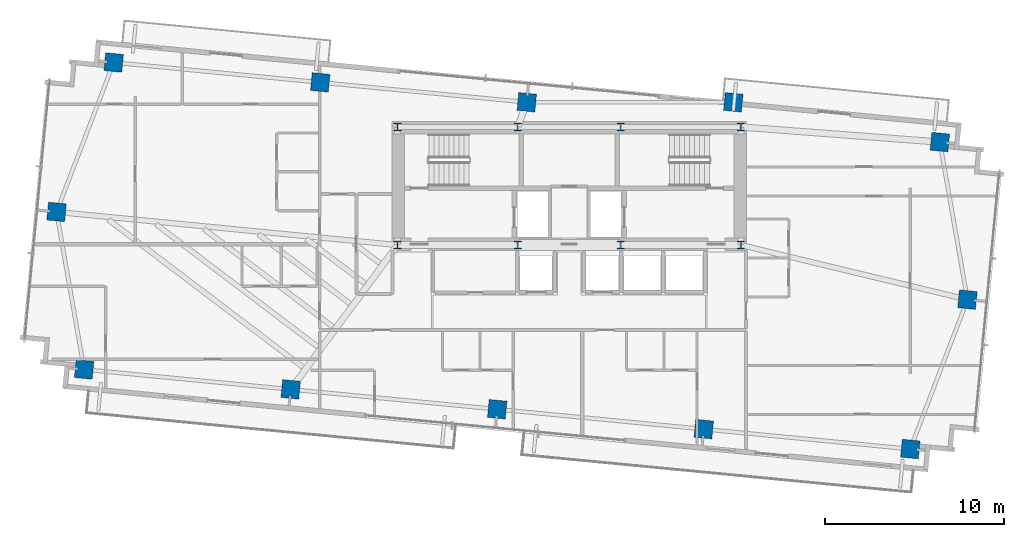
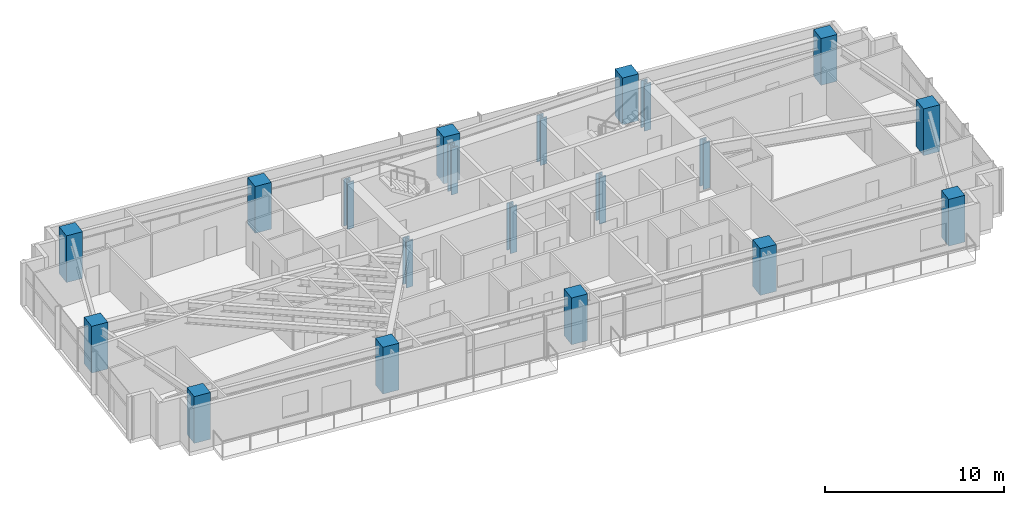
# One storey, part 1 of 20: 20 columns.
"""IFC4 building model written with IfcOpenShell, lengths in metres."""

from ifc_helpers import new_model, si_unit, direction, frame, origin, origin_2d, place, context, subcontext, project, spatial, rectangle, i_section, extrude, source, transform, mapped, material, material_profile, profile_set, type_object, type_shapes, element, save


model = new_model("IFC4")

# Units and contexts
model_context = context("Model", 3, precision=1e-05, world=origin(), true_north=direction((0.0, 1.0)))
body_context = subcontext(model_context, "Body", "Model", "MODEL_VIEW")
ifc_project = project(units=[si_unit("LENGTHUNIT", "METRE"), si_unit("AREAUNIT", "SQUARE_METRE"), si_unit("VOLUMEUNIT", "CUBIC_METRE"), si_unit("PLANEANGLEUNIT", "RADIAN"), si_unit("MASSUNIT", "GRAM", prefix="KILO")], contexts=[model_context])

# Site, building, storey
site_placement = place(None, origin())
site = spatial("IfcSite", under=ifc_project, at=site_placement, CompositionType="ELEMENT")
building_placement = place(site_placement, origin())
building = spatial("IfcBuilding", under=site, at=building_placement, Name="Astriad Promenade Condominiums", CompositionType="ELEMENT")
storey_placement = place(building_placement, frame((0.0, 0.0, 134.199951171875)))
storey = spatial("IfcBuildingStorey", under=building, at=storey_placement, Name="L38", CompositionType="ELEMENT", Elevation=134.199951171875)

# Columns
ifc_material_1 = material(Name="Steel ASTM A992 Grade 50", Category="steel")
ifc_material_profile_1 = material_profile(ifc_material_1, i_section(OverallWidth=0.42138671875, OverallDepth=0.464599609375, WebThickness=0.044921875, FlangeThickness=0.072509765625, FilletRadius=0.017822265625, at=origin_2d()), Name="W14X398")
ifc_profile_set_1 = profile_set([ifc_material_profile_1], Name="Steel ASTM A992 Grade 50")
column_type_1 = type_object("IfcColumnType", Name="STEEL CORE PILASTER W14X398", PredefinedType="PILASTER", material=ifc_profile_set_1)
shared_shape_1 = source(origin(), body_context, "Body", "SweptSolid", [
    extrude(i_section(OverallWidth=0.42138671875, OverallDepth=0.464599609375, WebThickness=0.044921875, FlangeThickness=0.072509765625, FilletRadius=0.017822265625, at=origin_2d()), origin(), (0.0, 0.0, 1.0), 3.196044921875),
])
type_shapes(column_type_1, [shared_shape_1])
for number, where, z_axis, x_axis, name in (
    (1, (26.39990234375, 17.39990234375, 0.001953125), (0.0, 0.0, 1.0), (1.0, 0.0, 0.0), "Core Pilaster Column CP1 (L38)"),
    (2, (33.1201171875, 17.39990234375, 0.001953125), (0.0, 0.0, 1.0), (1.0, 0.0, 0.0), "Core Pilaster Column CP2 (L38)"),
    (3, (38.8798828125, 17.39990234375, 0.001953125), (0.0, 0.0, 1.0), (1.0, 0.0, 0.0), "Core Pilaster Column CP3 (L38)"),
    (4, (45.60009765625, 17.39990234375, 0.001953125), (0.0, 0.0, 1.0), (1.0, 0.0, 0.0), "Core Pilaster Column CP4 (L38)"),
    (5, (26.39990234375, 24.0, 0.001953125), (0.0, 0.0, 1.0), (1.0, 0.0, 0.0), "Core Pilaster Column CP5 (L38)"),
    (6, (33.1201171875, 24.0, 0.001953125), (0.0, 0.0, 1.0), (1.0, 0.0, 0.0), "Core Pilaster Column CP6 (L38)"),
    (7, (38.8798828125, 24.0, 0.001953125), (0.0, 0.0, 1.0), (1.0, 0.0, 0.0), "Core Pilaster Column CP7 (L38)"),
    (8, (45.60009765625, 24.0, 0.001953125), (0.0, 0.0, 1.0), (1.0, 0.0, 0.0), "Core Pilaster Column CP8 (L38)"),
):
    element("IfcColumn", number, at=place(storey_placement, frame(where, z_axis=z_axis, x_axis=x_axis)), inside=storey, type_object=column_type_1, Name=name, PredefinedType="PILASTER", context=body_context, shape_type="MappedRepresentation", body=[
        mapped(shared_shape_1, transform((0.0, 0.0, 0.0), scale=1.0)),
    ])
ifc_material_2 = material(Name="Concrete C60/75", Category="concrete")
ifc_material_profile_2 = material_profile(ifc_material_2, rectangle(XDim=1.0, YDim=1.0, at=origin_2d()), Name="RC-COL-1000X1000")
ifc_profile_set_2 = profile_set([ifc_material_profile_2], Name="Concrete C60/75")
column_type_2 = type_object("IfcColumnType", Name="CONCRETE TOWER COLUMN 1000X1000", PredefinedType="COLUMN", material=ifc_profile_set_2)
shared_shape_2 = source(origin(), body_context, "Body", "SweptSolid", [
    extrude(rectangle(XDim=1.0, YDim=1.0, at=origin_2d()), origin(), (0.0, 0.0, 1.0), 3.196044921875),
])
type_shapes(column_type_2, [shared_shape_2])
for number, where, z_axis, x_axis, name in (
    (9, (8.880615234375, 10.443359375, 0.001953125), (0.0, 0.0, 1.0), (0.995396198367, -0.09584575252, 0.0), "Perimeter Column PC01 (L38)"),
    (10, (20.42724609375, 9.33154296875, 0.001953125), (0.0, 0.0, 1.0), (0.995396198367, -0.09584575252, 0.0), "Perimeter Column PC02 (L38)"),
    (11, (31.973876953125, 8.2197265625, 0.001953125), (0.0, 0.0, 1.0), (0.995396198367, -0.09584575252, 0.0), "Perimeter Column PC03 (L38)"),
    (12, (43.5205078125, 7.10791015625, 0.001953125), (0.0, 0.0, 1.0), (0.995396198367, -0.09584575252, 0.0), "Perimeter Column PC04 (L38)"),
    (13, (55.06689453125, 5.99609375, 0.001953125), (0.0, 0.0, 1.0), (0.995396198367, -0.09584575252, 0.0), "Perimeter Column PC05 (L38)"),
    (14, (10.532958984375, 27.60400390625, 0.001953125), (0.0, 0.0, 1.0), (0.995396198367, -0.09584575252, 0.0), "Perimeter Column PC06 (L38)"),
    (15, (22.07958984375, 26.4921875, 0.001953125), (0.0, 0.0, 1.0), (0.995396198367, -0.09584575252, 0.0), "Perimeter Column PC07 (L38)"),
    (16, (33.626220703125, 25.38037109375, 0.001953125), (0.0, 0.0, 1.0), (0.995396198367, -0.09584575252, 0.0), "Perimeter Column PC08 (L38)"),
    (17, (45.1728515625, 25.3798828125, 0.001953125), (0.0, 0.0, 1.0), (0.995396198367, -0.09584575252, 0.0), "Perimeter Column PC09 (L38)"),
    (18, (56.719482421875, 23.15673828125, 0.001953125), (0.0, 0.0, 1.0), (0.995396198367, -0.09584575252, 0.0), "Perimeter Column PC10 (L38)"),
    (19, (7.337890625, 19.251708984375, 0.001953125), (0.0, 0.0, 1.0), (0.995396198367, -0.09584575252, 0.0), "Perimeter Column PC11 (L38)"),
    (20, (58.26220703125, 14.348388671875, 0.001953125), (0.0, 0.0, 1.0), (0.995396198367, -0.09584575252, 0.0), "Perimeter Column PC12 (L38)"),
):
    element("IfcColumn", number, at=place(storey_placement, frame(where, z_axis=z_axis, x_axis=x_axis)), inside=storey, type_object=column_type_2, Name=name, PredefinedType="COLUMN", context=body_context, shape_type="MappedRepresentation", body=[
        mapped(shared_shape_2, transform((0.0, 0.0, 0.0), scale=1.0)),
    ])

save(model, "model.ifc")
